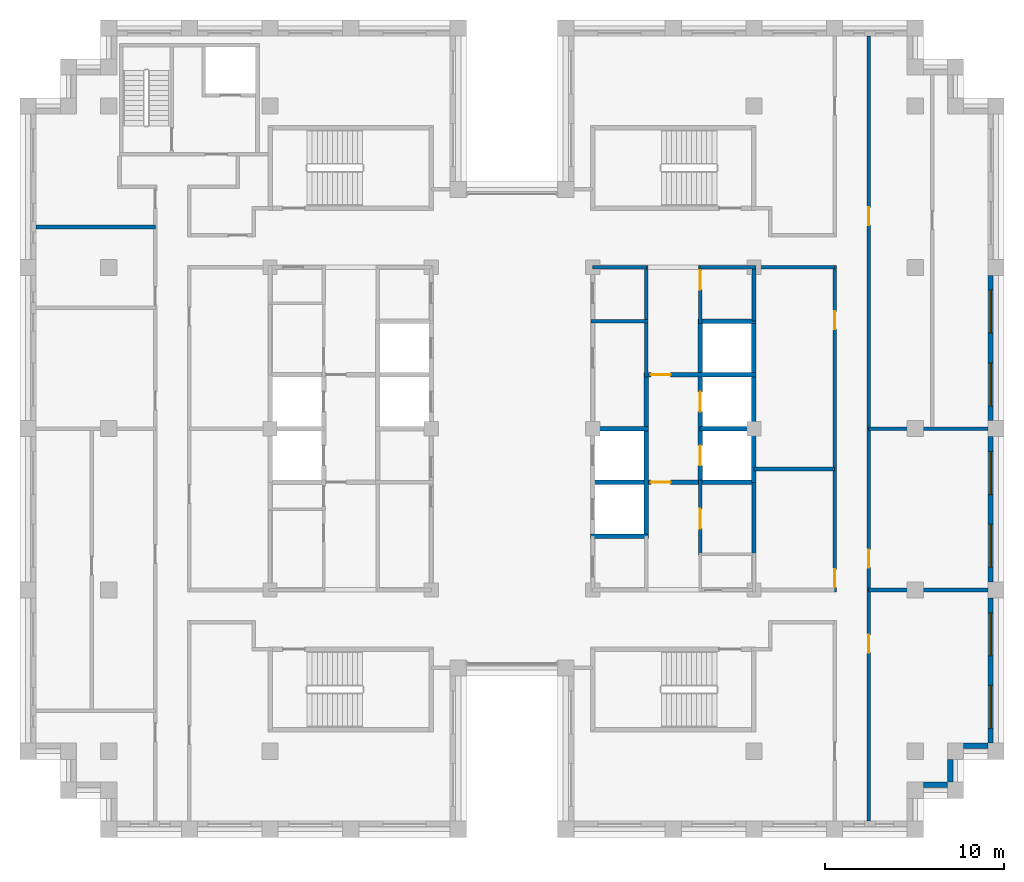
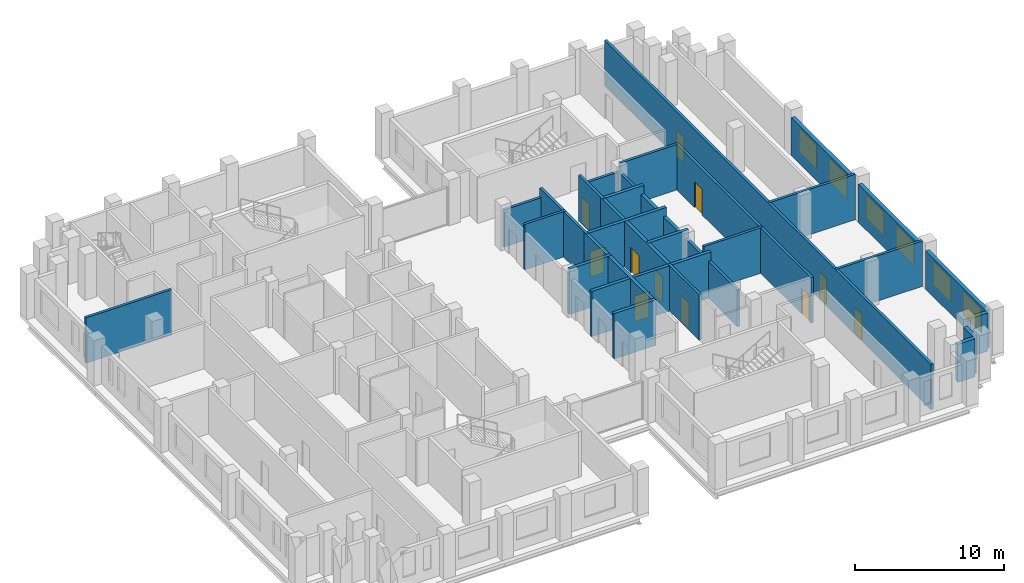
# One storey, part 9 of 13: 30 walls, 11 doors, 6 windows, 17 openings.
"""IFC4 building model written with IfcOpenShell, lengths in metres."""

from ifc_helpers import new_model, si_unit, direction, frame, frame_2d, origin, place, context, subcontext, project, spatial, rectangle, extrude, material, layer, layer_set, type_object, element, fill, save


model = new_model("IFC4")

# Units and contexts
model_context = context("Model", 3, precision=1e-05, world=origin(), true_north=direction((0.0, 1.0)))
body_context = subcontext(model_context, "Body", "Model", "MODEL_VIEW")
ifc_project = project(units=[si_unit("LENGTHUNIT", "METRE"), si_unit("AREAUNIT", "SQUARE_METRE"), si_unit("VOLUMEUNIT", "CUBIC_METRE"), si_unit("PLANEANGLEUNIT", "RADIAN"), si_unit("MASSUNIT", "GRAM", prefix="KILO")], contexts=[model_context])

# Site, building, storey
site_placement = place(None, origin())
site = spatial("IfcSite", under=ifc_project, at=site_placement, CompositionType="ELEMENT")
building_placement = place(site_placement, origin())
building = spatial("IfcBuilding", under=site, at=building_placement, Name="Corbelhall Arena Tower", CompositionType="ELEMENT")
storey_placement = place(building_placement, frame((0.0, 0.0, 270.0)))
storey = spatial("IfcBuildingStorey", under=building, at=storey_placement, Name="L58", CompositionType="ELEMENT", Elevation=270.0)

# Walls
ifc_material_1 = material(Name="Precast concrete C40/50 with granite facing", Category="masonry")
ifc_layer_1 = layer(ifc_material_1, 0.300048828125)
ifc_layer_set_1 = layer_set([ifc_layer_1], Name="EV-IW1 Infill panel 300")
wall_type_1 = type_object("IfcWallType", Name="EV-IW1 Infill panel 300", PredefinedType="SOLIDWALL", material=ifc_layer_set_1)
wall_1_placement = place(storey_placement, frame((22.949951171875, -19.875, 0.0), z_axis=(0.0, 0.0, 1.0), x_axis=(1.0, 0.0, 0.0)))
element("IfcWall", 1, at=wall_1_placement, inside=storey, type_object=wall_type_1, Name="Infill panel IW1", PredefinedType="SOLIDWALL", context=body_context, shape_type="SweptSolid", body=[
    extrude(rectangle(XDim=1.35009765625, YDim=0.300048828125, at=frame_2d((0.675048828125, 0.0))), origin(), (0.0, 0.0, 1.0), 3.1201171875),
])
wall_2_placement = place(storey_placement, frame((24.449951171875, -19.72509765625, 0.0), z_axis=(0.0, 0.0, 1.0), x_axis=(0.0, 1.0, 0.0)))
element("IfcWall", 2, at=wall_2_placement, inside=storey, type_object=wall_type_1, Name="Infill panel IW1", PredefinedType="SOLIDWALL", context=body_context, shape_type="SweptSolid", body=[
    extrude(rectangle(XDim=1.275146484375, YDim=0.300048828125, at=frame_2d((0.6376953125, 0.0))), origin(), (0.0, 0.0, 1.0), 3.1201171875),
])
wall_3_placement = place(storey_placement, frame((25.199951171875, -17.699951171875, 0.0), z_axis=(0.0, 0.0, 1.0), x_axis=(1.0, 0.0, 0.0)))
element("IfcWall", 3, at=wall_3_placement, inside=storey, type_object=wall_type_1, Name="Infill panel IW1", PredefinedType="SOLIDWALL", context=body_context, shape_type="SweptSolid", body=[
    extrude(rectangle(XDim=1.35009765625, YDim=0.300048828125, at=frame_2d((0.675048828125, 0.0))), origin(), (0.0, 0.0, 1.0), 3.1201171875),
])

# Wall, openings, windows
wall_4_placement = place(storey_placement, frame((26.699951171875, -17.550048828125, 0.0), z_axis=(0.0, 0.0, 1.0), x_axis=(0.0, 1.0, 0.0)))
wall_4 = element("IfcWall", 4, at=wall_4_placement, inside=storey, type_object=wall_type_1, Name="Infill panel IW1", PredefinedType="SOLIDWALL", context=body_context, shape_type="SweptSolid", body=[
    extrude(rectangle(XDim=8.10009765625, YDim=0.300048828125, at=frame_2d((4.050048828125, 0.0))), origin(), (0.0, 0.0, 1.0), 3.1201171875),
])
opening_1_placement = place(wall_4_placement, frame((0.824951171875, 0.0, 0.800048828125)))
opening_1 = element("IfcOpeningElement", 5, at=opening_1_placement, cuts=wall_4, Name="Opening WN1", PredefinedType="OPENING", context=body_context, shape_type="SweptSolid", body=[
    extrude(rectangle(XDim=2.39990234375, YDim=1.949951171875, at=frame_2d((1.199951171875, 0.97509765625))), frame((0.0, 0.14990234375, 0.0), z_axis=(0.0, -1.0, 0.0), x_axis=(1.0, 0.0, 0.0)), (0.0, 0.0, 1.0), 0.300048828125),
])
opening_2_placement = place(wall_4_placement, frame((4.875, 0.0, 0.800048828125)))
opening_2 = element("IfcOpeningElement", 6, at=opening_2_placement, cuts=wall_4, Name="Opening WN1", PredefinedType="OPENING", context=body_context, shape_type="SweptSolid", body=[
    extrude(rectangle(XDim=2.39990234375, YDim=1.949951171875, at=frame_2d((1.199951171875, 0.97509765625))), frame((0.0, 0.14990234375, 0.0), z_axis=(0.0, -1.0, 0.0), x_axis=(1.0, 0.0, 0.0)), (0.0, 0.0, 1.0), 0.300048828125),
])
ifc_material_2 = material(Name="Aluminium black anodised", Category="aluminium")
window_type = type_object("IfcWindowType", Name="EV-WN1 Office window", PartitioningType="SINGLE_PANEL", PredefinedType="WINDOW", material=ifc_material_2)
window_1_placement = place(opening_1_placement, origin())
window_1 = element("IfcWindow", 7, at=window_1_placement, inside=storey, type_object=window_type, Name="Window WN1", OverallHeight=1.949951171875, OverallWidth=2.39990234375, PartitioningType="SINGLE_PANEL", PredefinedType="WINDOW", context=body_context, shape_type="SweptSolid", body=[
    extrude(rectangle(XDim=2.39990234375, YDim=1.949951171875, at=frame_2d((1.199951171875, 0.97509765625))), frame((0.0, 0.030029296875, 0.0), z_axis=(0.0, -1.0, 0.0), x_axis=(1.0, 0.0, 0.0)), (0.0, 0.0, 1.0), 0.06005859375),
])
fill(opening_1, window_1)
window_2_placement = place(opening_2_placement, origin())
window_2 = element("IfcWindow", 8, at=window_2_placement, inside=storey, type_object=window_type, Name="Window WN1", OverallHeight=1.949951171875, OverallWidth=2.39990234375, PartitioningType="SINGLE_PANEL", PredefinedType="WINDOW", context=body_context, shape_type="SweptSolid", body=[
    extrude(rectangle(XDim=2.39990234375, YDim=1.949951171875, at=frame_2d((1.199951171875, 0.97509765625))), frame((0.0, 0.030029296875, 0.0), z_axis=(0.0, -1.0, 0.0), x_axis=(1.0, 0.0, 0.0)), (0.0, 0.0, 1.0), 0.06005859375),
])
fill(opening_2, window_2)

wall_5_placement = place(storey_placement, frame((26.699951171875, -8.550048828125, 0.0), z_axis=(0.0, 0.0, 1.0), x_axis=(0.0, 1.0, 0.0)))
wall_5 = element("IfcWall", 9, at=wall_5_placement, inside=storey, type_object=wall_type_1, Name="Infill panel IW1", PredefinedType="SOLIDWALL", context=body_context, shape_type="SweptSolid", body=[
    extrude(rectangle(XDim=8.10009765625, YDim=0.300048828125, at=frame_2d((4.050048828125, 0.0))), origin(), (0.0, 0.0, 1.0), 3.1201171875),
])
opening_3_placement = place(wall_5_placement, frame((0.824951171875, 0.0, 0.800048828125)))
opening_3 = element("IfcOpeningElement", 10, at=opening_3_placement, cuts=wall_5, Name="Opening WN1", PredefinedType="OPENING", context=body_context, shape_type="SweptSolid", body=[
    extrude(rectangle(XDim=2.39990234375, YDim=1.949951171875, at=frame_2d((1.199951171875, 0.97509765625))), frame((0.0, 0.14990234375, 0.0), z_axis=(0.0, -1.0, 0.0), x_axis=(1.0, 0.0, 0.0)), (0.0, 0.0, 1.0), 0.300048828125),
])
opening_4_placement = place(wall_5_placement, frame((4.875, 0.0, 0.800048828125)))
opening_4 = element("IfcOpeningElement", 11, at=opening_4_placement, cuts=wall_5, Name="Opening WN1", PredefinedType="OPENING", context=body_context, shape_type="SweptSolid", body=[
    extrude(rectangle(XDim=2.39990234375, YDim=1.949951171875, at=frame_2d((1.199951171875, 0.97509765625))), frame((0.0, 0.14990234375, 0.0), z_axis=(0.0, -1.0, 0.0), x_axis=(1.0, 0.0, 0.0)), (0.0, 0.0, 1.0), 0.300048828125),
])
window_3_placement = place(opening_3_placement, origin())
window_3 = element("IfcWindow", 12, at=window_3_placement, inside=storey, type_object=window_type, Name="Window WN1", OverallHeight=1.949951171875, OverallWidth=2.39990234375, PartitioningType="SINGLE_PANEL", PredefinedType="WINDOW", context=body_context, shape_type="SweptSolid", body=[
    extrude(rectangle(XDim=2.39990234375, YDim=1.949951171875, at=frame_2d((1.199951171875, 0.97509765625))), frame((0.0, 0.030029296875, 0.0), z_axis=(0.0, -1.0, 0.0), x_axis=(1.0, 0.0, 0.0)), (0.0, 0.0, 1.0), 0.06005859375),
])
fill(opening_3, window_3)
window_4_placement = place(opening_4_placement, origin())
window_4 = element("IfcWindow", 13, at=window_4_placement, inside=storey, type_object=window_type, Name="Window WN1", OverallHeight=1.949951171875, OverallWidth=2.39990234375, PartitioningType="SINGLE_PANEL", PredefinedType="WINDOW", context=body_context, shape_type="SweptSolid", body=[
    extrude(rectangle(XDim=2.39990234375, YDim=1.949951171875, at=frame_2d((1.199951171875, 0.97509765625))), frame((0.0, 0.030029296875, 0.0), z_axis=(0.0, -1.0, 0.0), x_axis=(1.0, 0.0, 0.0)), (0.0, 0.0, 1.0), 0.06005859375),
])
fill(opening_4, window_4)

wall_6_placement = place(storey_placement, frame((26.699951171875, 0.449951171875, 0.0), z_axis=(0.0, 0.0, 1.0), x_axis=(0.0, 1.0, 0.0)))
wall_6 = element("IfcWall", 14, at=wall_6_placement, inside=storey, type_object=wall_type_1, Name="Infill panel IW1", PredefinedType="SOLIDWALL", context=body_context, shape_type="SweptSolid", body=[
    extrude(rectangle(XDim=8.10009765625, YDim=0.300048828125, at=frame_2d((4.050048828125, 0.0))), origin(), (0.0, 0.0, 1.0), 3.1201171875),
])
opening_5_placement = place(wall_6_placement, frame((0.824951171875, 0.0, 0.800048828125)))
opening_5 = element("IfcOpeningElement", 15, at=opening_5_placement, cuts=wall_6, Name="Opening WN1", PredefinedType="OPENING", context=body_context, shape_type="SweptSolid", body=[
    extrude(rectangle(XDim=2.39990234375, YDim=1.949951171875, at=frame_2d((1.199951171875, 0.97509765625))), frame((0.0, 0.14990234375, 0.0), z_axis=(0.0, -1.0, 0.0), x_axis=(1.0, 0.0, 0.0)), (0.0, 0.0, 1.0), 0.300048828125),
])
opening_6_placement = place(wall_6_placement, frame((4.875, 0.0, 0.800048828125)))
opening_6 = element("IfcOpeningElement", 16, at=opening_6_placement, cuts=wall_6, Name="Opening WN1", PredefinedType="OPENING", context=body_context, shape_type="SweptSolid", body=[
    extrude(rectangle(XDim=2.39990234375, YDim=1.949951171875, at=frame_2d((1.199951171875, 0.97509765625))), frame((0.0, 0.14990234375, 0.0), z_axis=(0.0, -1.0, 0.0), x_axis=(1.0, 0.0, 0.0)), (0.0, 0.0, 1.0), 0.300048828125),
])
window_5_placement = place(opening_5_placement, origin())
window_5 = element("IfcWindow", 17, at=window_5_placement, inside=storey, type_object=window_type, Name="Window WN1", OverallHeight=1.949951171875, OverallWidth=2.39990234375, PartitioningType="SINGLE_PANEL", PredefinedType="WINDOW", context=body_context, shape_type="SweptSolid", body=[
    extrude(rectangle(XDim=2.39990234375, YDim=1.949951171875, at=frame_2d((1.199951171875, 0.97509765625))), frame((0.0, 0.030029296875, 0.0), z_axis=(0.0, -1.0, 0.0), x_axis=(1.0, 0.0, 0.0)), (0.0, 0.0, 1.0), 0.06005859375),
])
fill(opening_5, window_5)
window_6_placement = place(opening_6_placement, origin())
window_6 = element("IfcWindow", 18, at=window_6_placement, inside=storey, type_object=window_type, Name="Window WN1", OverallHeight=1.949951171875, OverallWidth=2.39990234375, PartitioningType="SINGLE_PANEL", PredefinedType="WINDOW", context=body_context, shape_type="SweptSolid", body=[
    extrude(rectangle(XDim=2.39990234375, YDim=1.949951171875, at=frame_2d((1.199951171875, 0.97509765625))), frame((0.0, 0.030029296875, 0.0), z_axis=(0.0, -1.0, 0.0), x_axis=(1.0, 0.0, 0.0)), (0.0, 0.0, 1.0), 0.06005859375),
])
fill(opening_6, window_6)

# Walls
ifc_material_3 = material(Name="Gypsum board on steel stud, acoustic", Category="steel")
ifc_layer_2 = layer(ifc_material_3, 0.199951171875)
ifc_layer_set_2 = layer_set([ifc_layer_2], Name="IN-W-DM200")
wall_type_2 = type_object("IfcWallType", Name="IN-W-DM200", PredefinedType="PARTITIONING", material=ifc_layer_set_2)
wall_7_placement = place(storey_placement, frame((-26.550048828125, 11.25, 0.0), z_axis=(0.0, 0.0, 1.0), x_axis=(1.0, 0.0, 0.0)))
element("IfcWall", 19, at=wall_7_placement, inside=storey, type_object=wall_type_2, Name="Partition 003", PredefinedType="PARTITIONING", context=body_context, shape_type="SweptSolid", body=[
    extrude(rectangle(XDim=6.650146484375, YDim=0.199951171875, at=frame_2d((3.3251953125, 0.0))), origin(), (0.0, 0.0, 1.0), 3.719970703125),
])
for number, where, z_axis, x_axis, name in (
    (20, (13.5, -2.25, 0.0), (0.0, 0.0, 1.0), (1.0, 0.0, 0.0), "Partition 029"),
    (21, (18.0, 9.0, 0.0), (0.0, 0.0, 1.0), (-1.0, 0.0, 0.0), "Partition 032"),
):
    element("IfcWall", number, at=place(storey_placement, frame(where, z_axis=z_axis, x_axis=x_axis)), inside=storey, type_object=wall_type_2, Name=name, PredefinedType="PARTITIONING", context=body_context, shape_type="SweptSolid", body=[
        extrude(rectangle(XDim=4.5, YDim=0.199951171875, at=frame_2d((2.25, 0.0))), origin(), (0.0, 0.0, 1.0), 3.719970703125),
    ])

# Wall, openings, doors
wall_8_placement = place(storey_placement, frame((18.0, -9.10009765625, 0.0), z_axis=(0.0, 0.0, 1.0), x_axis=(0.0, 1.0, 0.0)))
wall_8 = element("IfcWall", 22, at=wall_8_placement, inside=storey, type_object=wall_type_2, Name="Partition 037", PredefinedType="PARTITIONING", context=body_context, shape_type="SweptSolid", body=[
    extrude(rectangle(XDim=18.2001953125, YDim=0.199951171875, at=frame_2d((9.10009765625, 0.0))), origin(), (0.0, 0.0, 1.0), 3.719970703125),
])
opening_7_placement = place(wall_8_placement, frame((0.25, 0.0, 0.0)))
opening_7 = element("IfcOpeningElement", 23, at=opening_7_placement, cuts=wall_8, Name="Opening 18024", PredefinedType="OPENING", context=body_context, shape_type="SweptSolid", body=[
    extrude(rectangle(XDim=1.0, YDim=2.10009765625, at=frame_2d((0.5, 1.050048828125))), frame((0.0, 0.10009765625, 0.0), z_axis=(0.0, -1.0, 0.0), x_axis=(1.0, 0.0, 0.0)), (0.0, 0.0, 1.0), 0.199951171875),
])
opening_8_placement = place(wall_8_placement, frame((14.64990234375, 0.0, 0.0)))
opening_8 = element("IfcOpeningElement", 24, at=opening_8_placement, cuts=wall_8, Name="Opening 18025", PredefinedType="OPENING", context=body_context, shape_type="SweptSolid", body=[
    extrude(rectangle(XDim=1.0, YDim=2.10009765625, at=frame_2d((0.5, 1.050048828125))), frame((0.0, 0.10009765625, 0.0), z_axis=(0.0, -1.0, 0.0), x_axis=(1.0, 0.0, 0.0)), (0.0, 0.0, 1.0), 0.199951171875),
])
ifc_material_4 = material(Name="Steel door set", Category="steel")
door_type_1 = type_object("IfcDoorType", Name="IN-D-SW100", OperationType="NOTDEFINED", PredefinedType="DOOR", material=ifc_material_4)
door_1_placement = place(opening_7_placement, origin())
door_1 = element("IfcDoor", 25, at=door_1_placement, inside=storey, type_object=door_type_1, Name="Door 024", OperationType="SINGLE_SWING_LEFT", OverallHeight=2.10009765625, OverallWidth=1.0, PredefinedType="DOOR", context=body_context, shape_type="SweptSolid", body=[
    extrude(rectangle(XDim=1.0, YDim=2.10009765625, at=frame_2d((0.5, 1.050048828125))), frame((0.0, 0.02490234375, 0.0), z_axis=(0.0, -1.0, 0.0), x_axis=(1.0, 0.0, 0.0)), (0.0, 0.0, 1.0), 0.050048828125),
])
fill(opening_7, door_1)
door_2_placement = place(opening_8_placement, origin())
door_2 = element("IfcDoor", 26, at=door_2_placement, inside=storey, type_object=door_type_1, Name="Door 025", OperationType="SINGLE_SWING_RIGHT", OverallHeight=2.10009765625, OverallWidth=1.0, PredefinedType="DOOR", context=body_context, shape_type="SweptSolid", body=[
    extrude(rectangle(XDim=1.0, YDim=2.10009765625, at=frame_2d((0.5, 1.050048828125))), frame((0.0, 0.02490234375, 0.0), z_axis=(0.0, -1.0, 0.0), x_axis=(1.0, 0.0, 0.0)), (0.0, 0.0, 1.0), 0.050048828125),
])
fill(opening_8, door_2)

wall_9_placement = place(storey_placement, frame((19.89990234375, 21.89990234375, 0.0), z_axis=(0.0, 0.0, 1.0), x_axis=(0.0, -1.0, 0.0)))
wall_9 = element("IfcWall", 27, at=wall_9_placement, inside=storey, type_object=wall_type_2, Name="Partition 039", PredefinedType="PARTITIONING", context=body_context, shape_type="SweptSolid", body=[
    extrude(rectangle(XDim=43.7998046875, YDim=0.199951171875, at=frame_2d((21.89990234375, 0.0))), origin(), (0.0, 0.0, 1.0), 3.719970703125),
])
opening_9_placement = place(wall_9_placement, frame((9.550048828125, 0.0, 0.0)))
opening_9 = element("IfcOpeningElement", 28, at=opening_9_placement, cuts=wall_9, Name="Opening 18036", PredefinedType="OPENING", context=body_context, shape_type="SweptSolid", body=[
    extrude(rectangle(XDim=1.0, YDim=2.10009765625, at=frame_2d((0.5, 1.050048828125))), frame((0.0, 0.10009765625, 0.0), z_axis=(0.0, -1.0, 0.0), x_axis=(1.0, 0.0, 0.0)), (0.0, 0.0, 1.0), 0.199951171875),
])
opening_10_placement = place(wall_9_placement, frame((33.39990234375, 0.0, 0.0)))
opening_10 = element("IfcOpeningElement", 29, at=opening_10_placement, cuts=wall_9, Name="Opening 18038", PredefinedType="OPENING", context=body_context, shape_type="SweptSolid", body=[
    extrude(rectangle(XDim=1.0, YDim=2.10009765625, at=frame_2d((0.5, 1.050048828125))), frame((0.0, 0.10009765625, 0.0), z_axis=(0.0, -1.0, 0.0), x_axis=(1.0, 0.0, 0.0)), (0.0, 0.0, 1.0), 0.199951171875),
])
opening_11_placement = place(wall_9_placement, frame((28.64990234375, 0.0, 0.0)))
opening_11 = element("IfcOpeningElement", 30, at=opening_11_placement, cuts=wall_9, Name="Opening 18039", PredefinedType="OPENING", context=body_context, shape_type="SweptSolid", body=[
    extrude(rectangle(XDim=1.0, YDim=2.10009765625, at=frame_2d((0.5, 1.050048828125))), frame((0.0, 0.10009765625, 0.0), z_axis=(0.0, -1.0, 0.0), x_axis=(1.0, 0.0, 0.0)), (0.0, 0.0, 1.0), 0.199951171875),
])
door_3_placement = place(opening_9_placement, origin())
door_3 = element("IfcDoor", 31, at=door_3_placement, inside=storey, type_object=door_type_1, Name="Door 036", OperationType="SINGLE_SWING_LEFT", OverallHeight=2.10009765625, OverallWidth=1.0, PredefinedType="DOOR", context=body_context, shape_type="SweptSolid", body=[
    extrude(rectangle(XDim=1.0, YDim=2.10009765625, at=frame_2d((0.5, 1.050048828125))), frame((0.0, 0.02490234375, 0.0), z_axis=(0.0, -1.0, 0.0), x_axis=(1.0, 0.0, 0.0)), (0.0, 0.0, 1.0), 0.050048828125),
])
fill(opening_9, door_3)
door_4_placement = place(opening_10_placement, origin())
door_4 = element("IfcDoor", 32, at=door_4_placement, inside=storey, type_object=door_type_1, Name="Door 038", OperationType="SINGLE_SWING_LEFT", OverallHeight=2.10009765625, OverallWidth=1.0, PredefinedType="DOOR", context=body_context, shape_type="SweptSolid", body=[
    extrude(rectangle(XDim=1.0, YDim=2.10009765625, at=frame_2d((0.5, 1.050048828125))), frame((0.0, 0.02490234375, 0.0), z_axis=(0.0, -1.0, 0.0), x_axis=(1.0, 0.0, 0.0)), (0.0, 0.0, 1.0), 0.050048828125),
])
fill(opening_10, door_4)
door_5_placement = place(opening_11_placement, origin())
door_5 = element("IfcDoor", 33, at=door_5_placement, inside=storey, type_object=door_type_1, Name="Door 039", OperationType="SINGLE_SWING_RIGHT", OverallHeight=2.10009765625, OverallWidth=1.0, PredefinedType="DOOR", context=body_context, shape_type="SweptSolid", body=[
    extrude(rectangle(XDim=1.0, YDim=2.10009765625, at=frame_2d((0.5, 1.050048828125))), frame((0.0, 0.02490234375, 0.0), z_axis=(0.0, -1.0, 0.0), x_axis=(1.0, 0.0, 0.0)), (0.0, 0.0, 1.0), 0.050048828125),
])
fill(opening_11, door_5)

# Walls
for number, where, z_axis, x_axis, name in (
    (34, (19.89990234375, -9.0, 0.0), (0.0, 0.0, 1.0), (1.0, 0.0, 0.0), "Partition 040"),
    (35, (26.550048828125, 0.0, 0.0), (0.0, 0.0, 1.0), (-1.0, 0.0, 0.0), "Partition 041"),
):
    element("IfcWall", number, at=place(storey_placement, frame(where, z_axis=z_axis, x_axis=x_axis)), inside=storey, type_object=wall_type_2, Name=name, PredefinedType="PARTITIONING", context=body_context, shape_type="SweptSolid", body=[
        extrude(rectangle(XDim=6.650146484375, YDim=0.199951171875, at=frame_2d((3.3251953125, 0.0))), origin(), (0.0, 0.0, 1.0), 3.719970703125),
    ])
ifc_material_5 = material(Name="Concrete block wall", Category="concrete")
ifc_layer_3 = layer(ifc_material_5, 0.199951171875)
ifc_layer_set_3 = layer_set([ifc_layer_3], Name="IN-W-RS200")
wall_type_3 = type_object("IfcWallType", Name="IN-W-RS200", PredefinedType="SOLIDWALL", material=ifc_layer_set_3)
wall_10_placement = place(storey_placement, frame((4.39990234375, 6.0, 0.0), z_axis=(0.0, 0.0, 1.0), x_axis=(1.0, 0.0, 0.0)))
element("IfcWall", 36, at=wall_10_placement, inside=storey, type_object=wall_type_3, Name="Partition 055", PredefinedType="SOLIDWALL", context=body_context, shape_type="SweptSolid", body=[
    extrude(rectangle(XDim=3.2001953125, YDim=0.199951171875, at=frame_2d((1.60009765625, 0.0))), origin(), (0.0, 0.0, 1.0), 3.719970703125),
])
wall_11_placement = place(storey_placement, frame((7.5, 9.10009765625, 0.0), z_axis=(0.0, 0.0, 1.0), x_axis=(0.0, -1.0, 0.0)))
element("IfcWall", 37, at=wall_11_placement, inside=storey, type_object=wall_type_3, Name="Partition 061", PredefinedType="SOLIDWALL", context=body_context, shape_type="SweptSolid", body=[
    extrude(rectangle(XDim=6.22509765625, YDim=0.199951171875, at=frame_2d((3.112548828125, 0.0))), origin(), (0.0, 0.0, 1.0), 3.719970703125),
])

# Wall, opening, door
wall_12_placement = place(storey_placement, frame((10.5, -2.875, 0.0), z_axis=(0.0, 0.0, 1.0), x_axis=(0.0, -1.0, 0.0)))
wall_12 = element("IfcWall", 38, at=wall_12_placement, inside=storey, type_object=wall_type_3, Name="Partition 062", PredefinedType="SOLIDWALL", context=body_context, shape_type="SweptSolid", body=[
    extrude(rectangle(XDim=4.199951171875, YDim=0.199951171875, at=frame_2d((2.10009765625, 0.0))), origin(), (0.0, 0.0, 1.0), 3.719970703125),
])
opening_12_placement = place(wall_12_placement, frame((1.60009765625, 0.0, 0.0)))
opening_12 = element("IfcOpeningElement", 39, at=opening_12_placement, cuts=wall_12, Name="Opening 18016", PredefinedType="OPENING", context=body_context, shape_type="SweptSolid", body=[
    extrude(rectangle(XDim=1.10009765625, YDim=2.10009765625, at=frame_2d((0.550048828125, 1.050048828125))), frame((0.0, 0.10009765625, 0.0), z_axis=(0.0, -1.0, 0.0), x_axis=(1.0, 0.0, 0.0)), (0.0, 0.0, 1.0), 0.199951171875),
])
door_type_2 = type_object("IfcDoorType", Name="IN-D-FD110", OperationType="NOTDEFINED", PredefinedType="DOOR", material=ifc_material_4)
door_6_placement = place(opening_12_placement, origin())
door_6 = element("IfcDoor", 40, at=door_6_placement, inside=storey, type_object=door_type_2, Name="Door 016", OperationType="SINGLE_SWING_LEFT", OverallHeight=2.10009765625, OverallWidth=1.10009765625, PredefinedType="DOOR", context=body_context, shape_type="SweptSolid", body=[
    extrude(rectangle(XDim=1.10009765625, YDim=2.10009765625, at=frame_2d((0.550048828125, 1.050048828125))), frame((0.0, 0.02490234375, 0.0), z_axis=(0.0, -1.0, 0.0), x_axis=(1.0, 0.0, 0.0)), (0.0, 0.0, 1.0), 0.050048828125),
])
fill(opening_12, door_6)

wall_13_placement = place(storey_placement, frame((10.5, 9.10009765625, 0.0), z_axis=(0.0, 0.0, 1.0), x_axis=(0.0, -1.0, 0.0)))
wall_13 = element("IfcWall", 41, at=wall_13_placement, inside=storey, type_object=wall_type_3, Name="Partition 064", PredefinedType="SOLIDWALL", context=body_context, shape_type="SweptSolid", body=[
    extrude(rectangle(XDim=3.22509765625, YDim=0.199951171875, at=frame_2d((1.612548828125, 0.0))), origin(), (0.0, 0.0, 1.0), 3.719970703125),
])
opening_13_placement = place(wall_13_placement, frame((0.25, 0.0, 0.0)))
opening_13 = element("IfcOpeningElement", 42, at=opening_13_placement, cuts=wall_13, Name="Opening 18017", PredefinedType="OPENING", context=body_context, shape_type="SweptSolid", body=[
    extrude(rectangle(XDim=1.10009765625, YDim=2.10009765625, at=frame_2d((0.550048828125, 1.050048828125))), frame((0.0, 0.10009765625, 0.0), z_axis=(0.0, -1.0, 0.0), x_axis=(1.0, 0.0, 0.0)), (0.0, 0.0, 1.0), 0.199951171875),
])
door_7_placement = place(opening_13_placement, origin())
door_7 = element("IfcDoor", 43, at=door_7_placement, inside=storey, type_object=door_type_2, Name="Door 017", OperationType="SINGLE_SWING_RIGHT", OverallHeight=2.10009765625, OverallWidth=1.10009765625, PredefinedType="DOOR", context=body_context, shape_type="SweptSolid", body=[
    extrude(rectangle(XDim=1.10009765625, YDim=2.10009765625, at=frame_2d((0.550048828125, 1.050048828125))), frame((0.0, 0.02490234375, 0.0), z_axis=(0.0, -1.0, 0.0), x_axis=(1.0, 0.0, 0.0)), (0.0, 0.0, 1.0), 0.050048828125),
])
fill(opening_13, door_7)

# Walls
ifc_layer_4 = layer(ifc_material_5, 0.199951171875)
ifc_layer_set_4 = layer_set([ifc_layer_4], Name="IN-W-RS200 under beam 678 mm")
wall_type_4 = type_object("IfcWallType", Name="IN-W-RS200 under beam 678 mm", PredefinedType="SOLIDWALL", material=ifc_layer_set_4)
wall_14_placement = place(storey_placement, frame((4.5, 9.0, 0.0), z_axis=(0.0, 0.0, 1.0), x_axis=(1.0, 0.0, 0.0)))
element("IfcWall", 44, at=wall_14_placement, inside=storey, type_object=wall_type_4, Name="Partition 058", PredefinedType="SOLIDWALL", context=body_context, shape_type="SweptSolid", body=[
    extrude(rectangle(XDim=3.0, YDim=0.199951171875, at=frame_2d((1.5, 0.0))), origin(), (0.0, 0.0, 1.0), 3.041748046875),
])
wall_15_placement = place(storey_placement, frame((10.5, 9.0, 0.0), z_axis=(0.0, 0.0, 1.0), x_axis=(1.0, 0.0, 0.0)))
element("IfcWall", 45, at=wall_15_placement, inside=storey, type_object=wall_type_4, Name="Partition 063", PredefinedType="SOLIDWALL", context=body_context, shape_type="SweptSolid", body=[
    extrude(rectangle(XDim=3.10009765625, YDim=0.199951171875, at=frame_2d((1.550048828125, 0.0))), origin(), (0.0, 0.0, 1.0), 3.041748046875),
])
wall_16_placement = place(storey_placement, frame((13.5, -3.0, 0.0), z_axis=(0.0, 0.0, 1.0), x_axis=(0.0, -1.0, 0.0)))
element("IfcWall", 46, at=wall_16_placement, inside=storey, type_object=wall_type_4, Name="Partition 065", PredefinedType="SOLIDWALL", context=body_context, shape_type="SweptSolid", body=[
    extrude(rectangle(XDim=4.0, YDim=0.199951171875, at=frame_2d((2.0, 0.0))), origin(), (0.0, 0.0, 1.0), 3.041748046875),
])
wall_17_placement = place(storey_placement, frame((13.5, 9.10009765625, 0.0), z_axis=(0.0, 0.0, 1.0), x_axis=(0.0, -1.0, 0.0)))
element("IfcWall", 47, at=wall_17_placement, inside=storey, type_object=wall_type_4, Name="Partition 066", PredefinedType="SOLIDWALL", context=body_context, shape_type="SweptSolid", body=[
    extrude(rectangle(XDim=3.10009765625, YDim=0.199951171875, at=frame_2d((1.550048828125, 0.0))), origin(), (0.0, 0.0, 1.0), 3.041748046875),
])
ifc_material_6 = material(Name="Concrete C40/50", Category="concrete")
ifc_layer_5 = layer(ifc_material_6, 0.25)
ifc_layer_set_5 = layer_set([ifc_layer_5], Name="IN-W-SH250")
wall_type_5 = type_object("IfcWallType", Name="IN-W-SH250", PredefinedType="SOLIDWALL", material=ifc_layer_set_5)
wall_18_placement = place(storey_placement, frame((4.375, -6.0, 0.0), z_axis=(0.0, 0.0, 1.0), x_axis=(1.0, 0.0, 0.0)))
element("IfcWall", 48, at=wall_18_placement, inside=storey, type_object=wall_type_5, Name="Shaft wall 076", PredefinedType="SOLIDWALL", context=body_context, shape_type="SweptSolid", body=[
    extrude(rectangle(XDim=3.25, YDim=0.25, at=frame_2d((1.625, 0.0))), origin(), (0.0, 0.0, 1.0), 3.719970703125),
])

# Wall, opening, door
wall_19_placement = place(storey_placement, frame((4.375, -3.0, 0.0), z_axis=(0.0, 0.0, 1.0), x_axis=(1.0, 0.0, 0.0)))
wall_19 = element("IfcWall", 49, at=wall_19_placement, inside=storey, type_object=wall_type_5, Name="Shaft wall 077", PredefinedType="SOLIDWALL", context=body_context, shape_type="SweptSolid", body=[
    extrude(rectangle(XDim=9.25, YDim=0.25, at=frame_2d((4.625, 0.0))), origin(), (0.0, 0.0, 1.0), 3.719970703125),
])
opening_14_placement = place(wall_19_placement, frame((3.375, 0.0, 0.0)))
opening_14 = element("IfcOpeningElement", 50, at=opening_14_placement, cuts=wall_19, Name="Opening 18013", PredefinedType="OPENING", context=body_context, shape_type="SweptSolid", body=[
    extrude(rectangle(XDim=1.10009765625, YDim=2.10009765625, at=frame_2d((0.550048828125, 1.050048828125))), frame((0.0, 0.125, 0.0), z_axis=(0.0, -1.0, 0.0), x_axis=(1.0, 0.0, 0.0)), (0.0, 0.0, 1.0), 0.25),
])
door_8_placement = place(opening_14_placement, origin())
door_8 = element("IfcDoor", 51, at=door_8_placement, inside=storey, type_object=door_type_2, Name="Door 013", OperationType="SINGLE_SWING_RIGHT", OverallHeight=2.10009765625, OverallWidth=1.10009765625, PredefinedType="DOOR", context=body_context, shape_type="SweptSolid", body=[
    extrude(rectangle(XDim=1.10009765625, YDim=2.10009765625, at=frame_2d((0.550048828125, 1.050048828125))), frame((0.0, 0.02490234375, 0.0), z_axis=(0.0, -1.0, 0.0), x_axis=(1.0, 0.0, 0.0)), (0.0, 0.0, 1.0), 0.050048828125),
])
fill(opening_14, door_8)

# Walls
wall_20_placement = place(storey_placement, frame((4.375, 0.0, 0.0), z_axis=(0.0, 0.0, 1.0), x_axis=(1.0, 0.0, 0.0)))
element("IfcWall", 52, at=wall_20_placement, inside=storey, type_object=wall_type_5, Name="Shaft wall 078", PredefinedType="SOLIDWALL", context=body_context, shape_type="SweptSolid", body=[
    extrude(rectangle(XDim=3.25, YDim=0.25, at=frame_2d((1.625, 0.0))), origin(), (0.0, 0.0, 1.0), 3.719970703125),
])
wall_21_placement = place(storey_placement, frame((7.5, 3.125, 0.0), z_axis=(0.0, 0.0, 1.0), x_axis=(0.0, -1.0, 0.0)))
element("IfcWall", 53, at=wall_21_placement, inside=storey, type_object=wall_type_5, Name="Shaft wall 080", PredefinedType="SOLIDWALL", context=body_context, shape_type="SweptSolid", body=[
    extrude(rectangle(XDim=9.125, YDim=0.25, at=frame_2d((4.5625, 0.0))), origin(), (0.0, 0.0, 1.0), 3.719970703125),
])

# Wall, opening, door
wall_22_placement = place(storey_placement, frame((7.5, 3.0, 0.0), z_axis=(0.0, 0.0, 1.0), x_axis=(1.0, 0.0, 0.0)))
wall_22 = element("IfcWall", 54, at=wall_22_placement, inside=storey, type_object=wall_type_5, Name="Shaft wall 081", PredefinedType="SOLIDWALL", context=body_context, shape_type="SweptSolid", body=[
    extrude(rectangle(XDim=6.125, YDim=0.25, at=frame_2d((3.0625, 0.0))), origin(), (0.0, 0.0, 1.0), 3.719970703125),
])
opening_15_placement = place(wall_22_placement, frame((0.25, 0.0, 0.0)))
opening_15 = element("IfcOpeningElement", 55, at=opening_15_placement, cuts=wall_22, Name="Opening 18014", PredefinedType="OPENING", context=body_context, shape_type="SweptSolid", body=[
    extrude(rectangle(XDim=1.10009765625, YDim=2.10009765625, at=frame_2d((0.550048828125, 1.050048828125))), frame((0.0, 0.125, 0.0), z_axis=(0.0, -1.0, 0.0), x_axis=(1.0, 0.0, 0.0)), (0.0, 0.0, 1.0), 0.25),
])
door_9_placement = place(opening_15_placement, origin())
door_9 = element("IfcDoor", 56, at=door_9_placement, inside=storey, type_object=door_type_2, Name="Door 014", OperationType="SINGLE_SWING_LEFT", OverallHeight=2.10009765625, OverallWidth=1.10009765625, PredefinedType="DOOR", context=body_context, shape_type="SweptSolid", body=[
    extrude(rectangle(XDim=1.10009765625, YDim=2.10009765625, at=frame_2d((0.550048828125, 1.050048828125))), frame((0.0, 0.02490234375, 0.0), z_axis=(0.0, -1.0, 0.0), x_axis=(1.0, 0.0, 0.0)), (0.0, 0.0, 1.0), 0.050048828125),
])
fill(opening_15, door_9)

# Wall
wall_23_placement = place(storey_placement, frame((10.5, 0.0, 0.0), z_axis=(0.0, 0.0, 1.0), x_axis=(1.0, 0.0, 0.0)))
element("IfcWall", 57, at=wall_23_placement, inside=storey, type_object=wall_type_5, Name="Shaft wall 082", PredefinedType="SOLIDWALL", context=body_context, shape_type="SweptSolid", body=[
    extrude(rectangle(XDim=3.125, YDim=0.25, at=frame_2d((1.5625, 0.0))), origin(), (0.0, 0.0, 1.0), 3.719970703125),
])

# Wall, openings, doors
wall_24_placement = place(storey_placement, frame((10.5, 6.125, 0.0), z_axis=(0.0, 0.0, 1.0), x_axis=(0.0, -1.0, 0.0)))
wall_24 = element("IfcWall", 58, at=wall_24_placement, inside=storey, type_object=wall_type_5, Name="Shaft wall 083", PredefinedType="SOLIDWALL", context=body_context, shape_type="SweptSolid", body=[
    extrude(rectangle(XDim=9.25, YDim=0.25, at=frame_2d((4.625, 0.0))), origin(), (0.0, 0.0, 1.0), 3.719970703125),
])
opening_16_placement = place(wall_24_placement, frame((7.074951171875, 0.0, 0.0)))
opening_16 = element("IfcOpeningElement", 59, at=opening_16_placement, cuts=wall_24, Name="Opening LD", PredefinedType="OPENING", context=body_context, shape_type="SweptSolid", body=[
    extrude(rectangle(XDim=1.10009765625, YDim=2.10009765625, at=frame_2d((0.550048828125, 1.050048828125))), frame((0.0, 0.125, 0.0), z_axis=(0.0, -1.0, 0.0), x_axis=(1.0, 0.0, 0.0)), (0.0, 0.0, 1.0), 0.25),
])
opening_17_placement = place(wall_24_placement, frame((4.074951171875, 0.0, 0.0)))
opening_17 = element("IfcOpeningElement", 60, at=opening_17_placement, cuts=wall_24, Name="Opening LD", PredefinedType="OPENING", context=body_context, shape_type="SweptSolid", body=[
    extrude(rectangle(XDim=1.10009765625, YDim=2.10009765625, at=frame_2d((0.550048828125, 1.050048828125))), frame((0.0, 0.125, 0.0), z_axis=(0.0, -1.0, 0.0), x_axis=(1.0, 0.0, 0.0)), (0.0, 0.0, 1.0), 0.25),
])
door_type_3 = type_object("IfcDoorType", Name="IN-D-LD110", OperationType="NOTDEFINED", PredefinedType="DOOR", material=ifc_material_4)
door_10_placement = place(opening_16_placement, origin())
door_10 = element("IfcDoor", 61, at=door_10_placement, inside=storey, type_object=door_type_3, Name="Landing door E3", OperationType="SLIDING_TO_LEFT", OverallHeight=2.10009765625, OverallWidth=1.10009765625, PredefinedType="DOOR", context=body_context, shape_type="SweptSolid", body=[
    extrude(rectangle(XDim=1.10009765625, YDim=2.10009765625, at=frame_2d((0.550048828125, 1.050048828125))), frame((0.0, 0.02490234375, 0.0), z_axis=(0.0, -1.0, 0.0), x_axis=(1.0, 0.0, 0.0)), (0.0, 0.0, 1.0), 0.050048828125),
])
fill(opening_16, door_10)
door_11_placement = place(opening_17_placement, origin())
door_11 = element("IfcDoor", 62, at=door_11_placement, inside=storey, type_object=door_type_3, Name="Landing door E4", OperationType="SLIDING_TO_LEFT", OverallHeight=2.10009765625, OverallWidth=1.10009765625, PredefinedType="DOOR", context=body_context, shape_type="SweptSolid", body=[
    extrude(rectangle(XDim=1.10009765625, YDim=2.10009765625, at=frame_2d((0.550048828125, 1.050048828125))), frame((0.0, 0.02490234375, 0.0), z_axis=(0.0, -1.0, 0.0), x_axis=(1.0, 0.0, 0.0)), (0.0, 0.0, 1.0), 0.050048828125),
])
fill(opening_17, door_11)

# Walls
wall_25_placement = place(storey_placement, frame((10.5, 6.0, 0.0), z_axis=(0.0, 0.0, 1.0), x_axis=(1.0, 0.0, 0.0)))
element("IfcWall", 63, at=wall_25_placement, inside=storey, type_object=wall_type_5, Name="Shaft wall 084", PredefinedType="SOLIDWALL", context=body_context, shape_type="SweptSolid", body=[
    extrude(rectangle(XDim=3.125, YDim=0.25, at=frame_2d((1.5625, 0.0))), origin(), (0.0, 0.0, 1.0), 3.719970703125),
])
ifc_layer_6 = layer(ifc_material_6, 0.25)
ifc_layer_set_6 = layer_set([ifc_layer_6], Name="IN-W-SH250 under beam 678 mm")
wall_type_6 = type_object("IfcWallType", Name="IN-W-SH250 under beam 678 mm", PredefinedType="SOLIDWALL", material=ifc_layer_set_6)
wall_26_placement = place(storey_placement, frame((13.5, 6.0, 0.0), z_axis=(0.0, 0.0, 1.0), x_axis=(0.0, -1.0, 0.0)))
element("IfcWall", 64, at=wall_26_placement, inside=storey, type_object=wall_type_6, Name="Shaft wall 085", PredefinedType="SOLIDWALL", context=body_context, shape_type="SweptSolid", body=[
    extrude(rectangle(XDim=9.0, YDim=0.25, at=frame_2d((4.5, 0.0))), origin(), (0.0, 0.0, 1.0), 3.041748046875),
])

save(model, "model.ifc")
